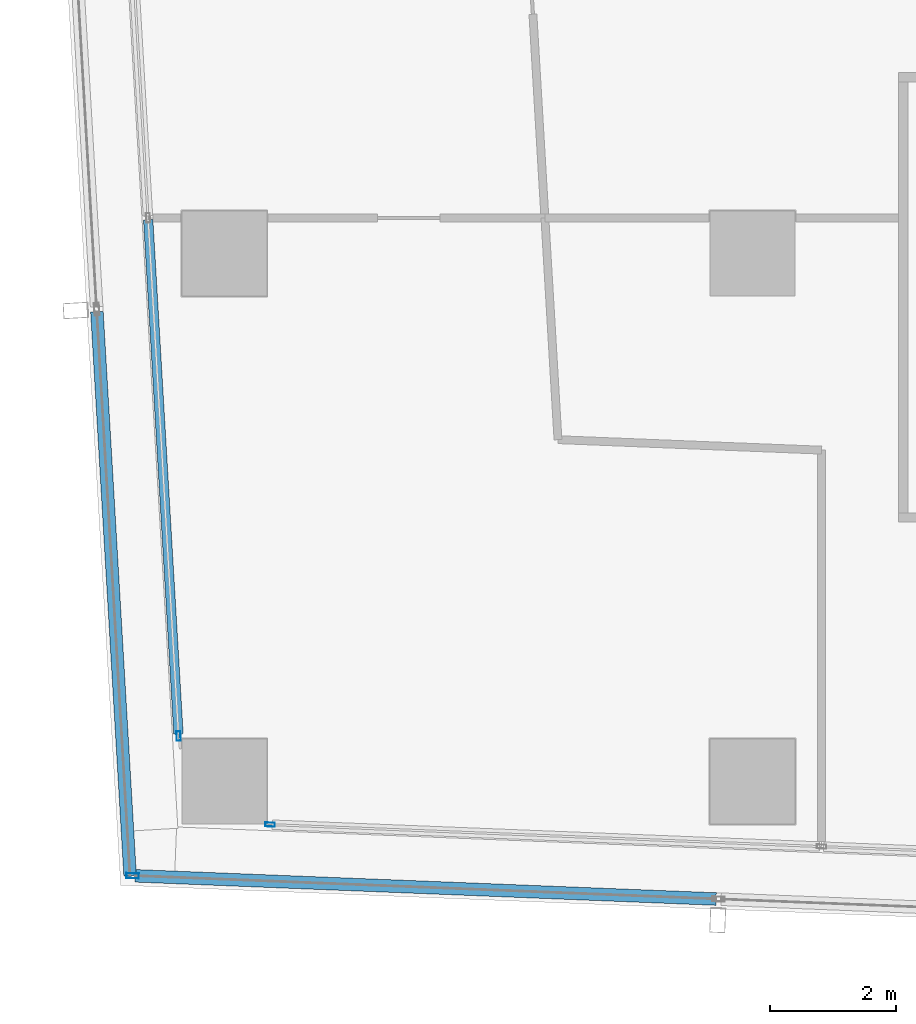
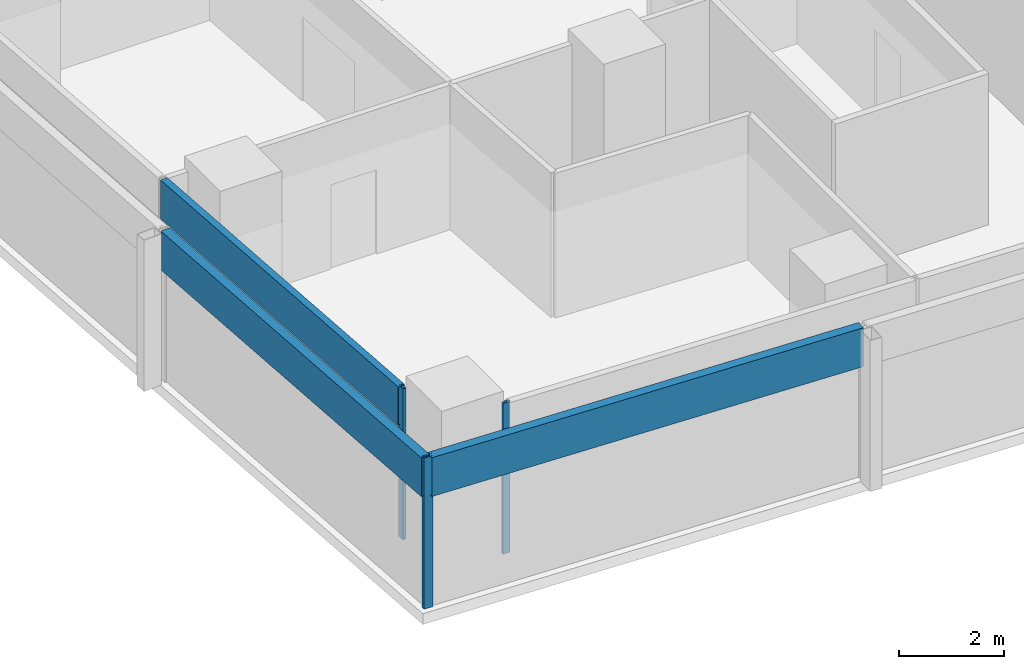
# One storey, part 2 of 39: 6 members, 4 elements without a shape of their own.
"""IFC4 building model written with IfcOpenShell, lengths in metres."""

from ifc_helpers import new_model, si_unit, direction, frame, origin, origin_2d, place, context, subcontext, project, spatial, hollow_rectangle, extrude, material, material_profile, profile_set, type_object, element, aggregate, save


model = new_model("IFC4")

# Units and contexts
model_context = context("Model", 3, precision=1e-05, world=origin(), true_north=direction((0.0, 1.0)))
body_context = subcontext(model_context, "Body", "Model", "MODEL_VIEW")
ifc_project = project(units=[si_unit("LENGTHUNIT", "METRE"), si_unit("AREAUNIT", "SQUARE_METRE"), si_unit("VOLUMEUNIT", "CUBIC_METRE"), si_unit("PLANEANGLEUNIT", "RADIAN"), si_unit("MASSUNIT", "GRAM", prefix="KILO")], contexts=[model_context])

# Site, building, storey
site_placement = place(None, origin())
site = spatial("IfcSite", under=ifc_project, at=site_placement, CompositionType="ELEMENT")
building_placement = place(site_placement, origin())
building = spatial("IfcBuilding", under=site, at=building_placement, Name="Rekha Terrace Tower", CompositionType="ELEMENT")
storey_placement = place(building_placement, frame((0.0, 0.0, 225.199951171875)))
storey = spatial("IfcBuildingStorey", under=building, at=storey_placement, Name="L57", CompositionType="ELEMENT", Elevation=225.199951171875)

# Curtain wall, member
ifc_material_1 = material(Name="Aluminium framing", Category="aluminium")
curtain_wall_type_1 = type_object("IfcCurtainWallType", Name="CW1 double skin inner glazing", PredefinedType="USERDEFINED", material=ifc_material_1)
curtain_wall_1_placement = place(storey_placement, origin())
curtain_wall_1 = element("IfcCurtainWall", 1, at=curtain_wall_1_placement, inside=storey, type_object=curtain_wall_type_1, Name="CW1 double skin inner glazing", ObjectType="DOUBLE SKIN INNER GLAZING", PredefinedType="USERDEFINED")
ifc_material_2 = material(Name="Aluminium mullion section", Category="aluminium")
ifc_material_profile_1 = material_profile(ifc_material_2, hollow_rectangle(XDim=0.06494140625, YDim=0.14990234375, WallThickness=0.00390625, at=origin_2d()), Name="AL RHS 65x150")
ifc_profile_set_1 = profile_set([ifc_material_profile_1], Name="Aluminium mullion section")
member_type_1 = type_object("IfcMemberType", Name="CW1 mullion RHS 65 x 150", PredefinedType="MULLION", material=ifc_profile_set_1)
member_1_placement = place(storey_placement, frame((9.127197265625, 16.115966796875, 0.0), z_axis=(0.0, 0.0, 1.0), x_axis=(0.039872497061, 0.999204775798, 0.0)))
member_1 = element("IfcMember", 2, at=member_1_placement, type_object=member_type_1, Name="CW1 mullion 1", PredefinedType="MULLION", context=body_context, shape_type="SweptSolid", body=[
    extrude(hollow_rectangle(XDim=0.06494140625, YDim=0.14990234375, WallThickness=0.00390625, at=origin_2d()), origin(), (0.0, 0.0, 1.0), 3.5),
])
aggregate(curtain_wall_1, [member_1])

# Curtain wall, members
curtain_wall_2_placement = place(storey_placement, origin())
curtain_wall_2 = element("IfcCurtainWall", 3, at=curtain_wall_2_placement, inside=storey, type_object=curtain_wall_type_1, Name="CW1 double skin inner glazing", ObjectType="DOUBLE SKIN INNER GLAZING", PredefinedType="USERDEFINED")
member_2_placement = place(storey_placement, frame((7.672119140625, 17.5244140625, 0.0), z_axis=(0.0, 0.0, 1.0), x_axis=(0.998271839269, 0.058765082516, 0.0)))
member_2 = element("IfcMember", 4, at=member_2_placement, type_object=member_type_1, Name="CW1 mullion 4", PredefinedType="MULLION", context=body_context, shape_type="SweptSolid", body=[
    extrude(hollow_rectangle(XDim=0.06494140625, YDim=0.14990234375, WallThickness=0.00390625, at=origin_2d()), origin(), (0.0, 0.0, 1.0), 3.5),
])
ifc_material_3 = material(Name="Insulated aluminium spandrel box", Category="aluminium")
ifc_material_profile_2 = material_profile(ifc_material_3, hollow_rectangle(XDim=0.14990234375, YDim=0.89990234375, WallThickness=0.0029296875, at=origin_2d()), Name="AL SPANDREL BOX 150x900")
ifc_profile_set_2 = profile_set([ifc_material_profile_2], Name="Insulated aluminium spandrel box")
member_type_2 = type_object("IfcMemberType", Name="CW1 spandrel transom 150 x 900", PredefinedType="USERDEFINED", material=ifc_profile_set_2)
member_3_placement = place(storey_placement, frame((7.188720703125, 25.733642578125, 3.050048828125), z_axis=(0.058777934282, -0.998271082643, 0.0), x_axis=(0.998271082643, 0.058777934282, 0.0)))
member_3 = element("IfcMember", 5, at=member_3_placement, type_object=member_type_2, Name="CW1 spandrel transom 3", ObjectType="TRANSOM", PredefinedType="USERDEFINED", context=body_context, shape_type="SweptSolid", body=[
    extrude(hollow_rectangle(XDim=0.14990234375, YDim=0.89990234375, WallThickness=0.0029296875, at=origin_2d()), origin(), (0.0, 0.0, 1.0), 8.19091796875),
])
aggregate(curtain_wall_2, [member_2, member_3])

curtain_wall_type_2 = type_object("IfcCurtainWallType", Name="CW2 double skin outer glazing", PredefinedType="USERDEFINED", material=ifc_material_1)
curtain_wall_3_placement = place(storey_placement, origin())
curtain_wall_3 = element("IfcCurtainWall", 6, at=curtain_wall_3_placement, inside=storey, type_object=curtain_wall_type_2, Name="CW2 double skin outer glazing", ObjectType="DOUBLE SKIN OUTER GLAZING", PredefinedType="USERDEFINED")
ifc_material_profile_3 = material_profile(ifc_material_2, hollow_rectangle(XDim=0.080078125, YDim=0.199951171875, WallThickness=0.00390625, at=origin_2d()), Name="AL RHS 80x200")
ifc_profile_set_3 = profile_set([ifc_material_profile_3], Name="Aluminium mullion section")
member_type_3 = type_object("IfcMemberType", Name="CW2 mullion RHS 80 x 200", PredefinedType="MULLION", material=ifc_profile_set_3)
member_4_placement = place(storey_placement, frame((6.941162109375, 15.302490234375, 0.0), z_axis=(0.0, 0.0, 1.0), x_axis=(0.039872497044, 0.999204775799, 0.0)))
member_4 = element("IfcMember", 7, at=member_4_placement, type_object=member_type_3, Name="CW2 mullion 1", PredefinedType="MULLION", context=body_context, shape_type="SweptSolid", body=[
    extrude(hollow_rectangle(XDim=0.080078125, YDim=0.199951171875, WallThickness=0.00390625, at=origin_2d()), origin(), (0.0, 0.0, 1.0), 3.5),
])
ifc_material_profile_4 = material_profile(ifc_material_3, hollow_rectangle(XDim=0.199951171875, YDim=0.89990234375, WallThickness=0.0029296875, at=origin_2d()), Name="AL SPANDREL BOX 200x900")
ifc_profile_set_4 = profile_set([ifc_material_profile_4], Name="Insulated aluminium spandrel box")
member_type_4 = type_object("IfcMemberType", Name="CW2 spandrel transom 200 x 900", PredefinedType="USERDEFINED", material=ifc_profile_set_4)
member_5_placement = place(storey_placement, frame((6.981201171875, 15.301025390625, 3.050048828125), z_axis=(0.999203782278, -0.039897386899, 0.0), x_axis=(0.039897386899, 0.999203782278, 0.0)))
member_5 = element("IfcMember", 8, at=member_5_placement, type_object=member_type_4, Name="CW2 spandrel transom 1", ObjectType="TRANSOM", PredefinedType="USERDEFINED", context=body_context, shape_type="SweptSolid", body=[
    extrude(hollow_rectangle(XDim=0.199951171875, YDim=0.89990234375, WallThickness=0.0029296875, at=origin_2d()), origin(), (0.0, 0.0, 1.0), 9.24609375),
])
aggregate(curtain_wall_3, [member_4, member_5])

# Curtain wall, member
curtain_wall_4_placement = place(storey_placement, origin())
curtain_wall_4 = element("IfcCurtainWall", 9, at=curtain_wall_4_placement, inside=storey, type_object=curtain_wall_type_2, Name="CW2 double skin outer glazing", ObjectType="DOUBLE SKIN OUTER GLAZING", PredefinedType="USERDEFINED")
member_6_placement = place(storey_placement, frame((6.373291015625, 24.27197265625, 3.050048828125), z_axis=(0.058757071111, -0.998272310842, 0.0), x_axis=(0.998272310842, 0.058757071111, 0.0)))
member_6 = element("IfcMember", 10, at=member_6_placement, type_object=member_type_4, Name="CW2 spandrel transom 3", ObjectType="TRANSOM", PredefinedType="USERDEFINED", context=body_context, shape_type="SweptSolid", body=[
    extrude(hollow_rectangle(XDim=0.199951171875, YDim=0.89990234375, WallThickness=0.0029296875, at=origin_2d()), origin(), (0.0, 0.0, 1.0), 8.9833984375),
])
aggregate(curtain_wall_4, [member_6])

save(model, "model.ifc")
